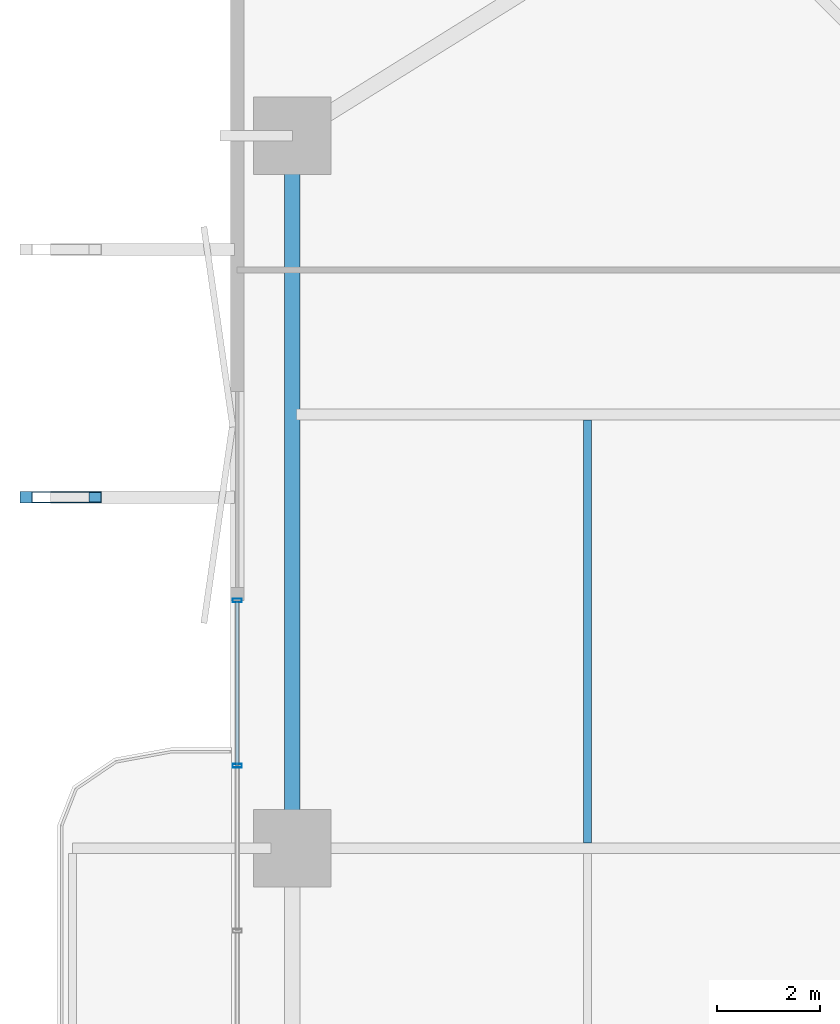
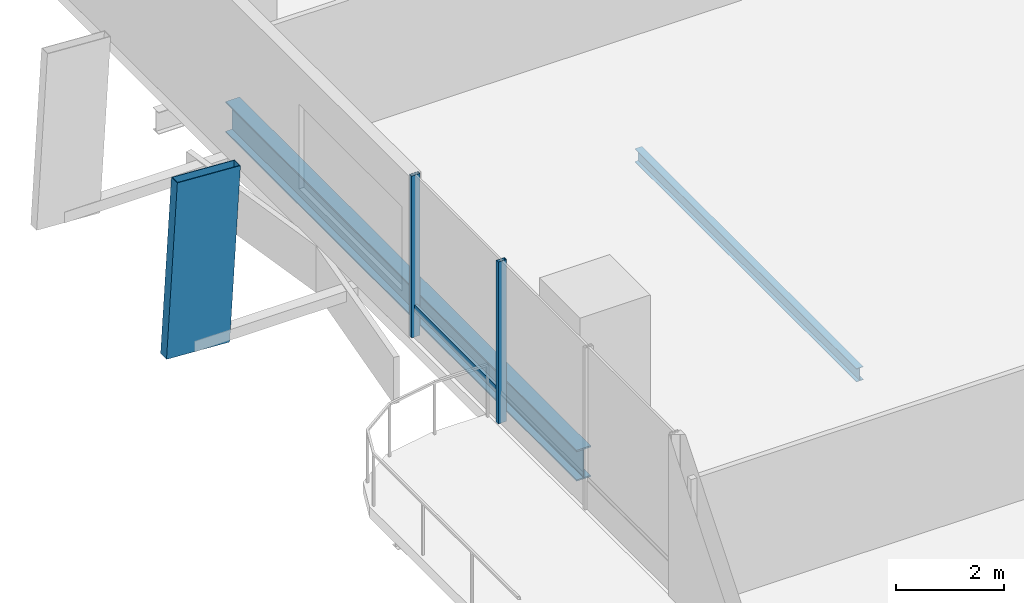
# One storey, part 9 of 24: 4 members, 2 beams, 1 element without a shape of its own.
"""IFC4 building model written with IfcOpenShell, lengths in metres."""

from ifc_helpers import new_model, si_unit, direction, frame, origin, origin_2d, place, context, subcontext, project, spatial, hollow_rectangle, i_section, extrude, material, layer, layer_set, material_profile, profile_set, type_object, element, aggregate, save


model = new_model("IFC4")

# Units and contexts
model_context = context("Model", 3, precision=1e-05, world=origin(), true_north=direction((0.0, 1.0)))
body_context = subcontext(model_context, "Body", "Model", "MODEL_VIEW")
ifc_project = project(units=[si_unit("LENGTHUNIT", "METRE"), si_unit("AREAUNIT", "SQUARE_METRE"), si_unit("VOLUMEUNIT", "CUBIC_METRE"), si_unit("PLANEANGLEUNIT", "RADIAN"), si_unit("MASSUNIT", "GRAM", prefix="KILO")], contexts=[model_context])

# Site, building, storey
site_placement = place(None, origin())
site = spatial("IfcSite", under=ifc_project, at=site_placement, CompositionType="ELEMENT")
building_placement = place(site_placement, origin())
building = spatial("IfcBuilding", under=site, at=building_placement, Name="Belovzor Exchange Tower", CompositionType="ELEMENT")
storey_placement = place(building_placement, frame((0.0, 0.0, 33.89990234375)))
storey = spatial("IfcBuildingStorey", under=building, at=storey_placement, Name="L07", CompositionType="ELEMENT", Elevation=33.89990234375)

# Member
ifc_material_1 = material(Name="Extruded Architectural Terracotta on Steel S355 Carrier", Category="masonry")
ifc_material_profile_1 = material_profile(ifc_material_1, hollow_rectangle(XDim=0.219970703125, YDim=1.35009765625, WallThickness=0.013916015625, at=origin_2d()))
ifc_profile_set_1 = profile_set([ifc_material_profile_1], Name="Extruded Architectural Terracotta on Steel S355 Carrier")
member_type_1 = type_object("IfcMemberType", Name="Base Arc Sweeping Terracotta Pylon Fin 1450", PredefinedType="USERDEFINED", material=ifc_profile_set_1)
member_1_placement = place(storey_placement, frame((-2.50390625, 35.60009765625, -0.25), z_axis=(0.059113970154, 0.0, 0.998251240186), x_axis=(0.0, 1.0, 0.0)))
element("IfcMember", 1, at=member_1_placement, inside=storey, type_object=member_type_1, Name="FIN-TC145 Terracotta Facade Fin L07 W3", ObjectType="FIN", PredefinedType="USERDEFINED", context=body_context, shape_type="SweptSolid", body=[
    extrude(hollow_rectangle(XDim=0.219970703125, YDim=1.35009765625, WallThickness=0.013916015625, at=origin_2d()), origin(), (0.0, 0.0, 1.0), 3.906982421875),
])

# Beam
ifc_material_2 = material(Name="Steel S355", Category="steel")
ifc_material_profile_2 = material_profile(ifc_material_2, i_section(OverallWidth=0.14990234375, OverallDepth=0.300048828125, WebThickness=0.007080078125, FlangeThickness=0.0107421875, at=origin_2d()))
ifc_profile_set_2 = profile_set([ifc_material_profile_2], Name="Steel S355")
beam_type_1 = type_object("IfcBeamType", Name="Secondary Trim Floor Joist IPE 300", PredefinedType="BEAM", material=ifc_profile_set_2)
beam_1_placement = place(storey_placement, frame((7.81494140625, 28.905029296875, -0.39990234375), z_axis=(0.0, 1.0, 0.0), x_axis=(-1.0, 0.0, 0.0)))
element("IfcBeam", 2, at=beam_1_placement, inside=storey, type_object=beam_type_1, Name="FJ-300 Secondary Trim Floor Joist IPE 300", PredefinedType="BEAM", context=body_context, shape_type="SweptSolid", body=[
    extrude(i_section(OverallWidth=0.14990234375, OverallDepth=0.300048828125, WebThickness=0.007080078125, FlangeThickness=0.0107421875, at=origin_2d()), origin(), (0.0, 0.0, 1.0), 8.18994140625),
])

# Curtain wall, members
ifc_material_3 = material(Name="Anodised Aluminium Framing", Category="aluminium")
ifc_layer = layer(ifc_material_3, 0.179931640625)
ifc_layer_set = layer_set([ifc_layer], Name="Anodised Aluminium Framing")
curtain_wall_type = type_object("IfcCurtainWallType", Name="Recessed Loggia Low-Iron Triple-Glazed Curtain Wall", PredefinedType="NOTDEFINED", material=ifc_layer_set)
curtain_wall_placement = place(storey_placement, origin())
curtain_wall = element("IfcCurtainWall", 3, at=curtain_wall_placement, inside=storey, type_object=curtain_wall_type, Name="CW3 Recessed Loggia Low-Iron Triple-Glazed Curtain Wall L07", PredefinedType="NOTDEFINED")
ifc_material_4 = material(Name="Steel S355", Category="steel")
ifc_material_profile_3 = material_profile(ifc_material_4, hollow_rectangle(XDim=0.074951171875, YDim=0.179931640625, WallThickness=0.0048828125, at=origin_2d()))
ifc_profile_set_3 = profile_set([ifc_material_profile_3], Name="Steel S355")
member_type_2 = type_object("IfcMemberType", Name="Thermally Broken Curtain Wall Mullion 180x75", PredefinedType="MULLION", material=ifc_profile_set_3)
member_2_placement = place(storey_placement, frame((1.030029296875, 30.39990234375, 0.0), z_axis=(0.0, 0.0, 1.0), x_axis=(0.0, 1.0, 0.0)))
member_2 = element("IfcMember", 4, at=member_2_placement, type_object=member_type_2, Name="CW-M180 Curtain Wall Mullion 3", PredefinedType="MULLION", context=body_context, shape_type="SweptSolid", body=[
    extrude(hollow_rectangle(XDim=0.074951171875, YDim=0.179931640625, WallThickness=0.0048828125, at=origin_2d()), origin(), (0.0, 0.0, 1.0), 3.650146484375),
])
member_3_placement = place(storey_placement, frame((1.030029296875, 33.60009765625, 0.0), z_axis=(0.0, 0.0, 1.0), x_axis=(0.0, 1.0, 0.0)))
member_3 = element("IfcMember", 5, at=member_3_placement, type_object=member_type_2, Name="CW-M180 Curtain Wall Mullion 4", PredefinedType="MULLION", context=body_context, shape_type="SweptSolid", body=[
    extrude(hollow_rectangle(XDim=0.074951171875, YDim=0.179931640625, WallThickness=0.0048828125, at=origin_2d()), origin(), (0.0, 0.0, 1.0), 3.650146484375),
])
ifc_material_5 = material(Name="Steel S355", Category="steel")
ifc_material_profile_4 = material_profile(ifc_material_5, hollow_rectangle(XDim=0.06005859375, YDim=0.14990234375, WallThickness=0.00390625, at=origin_2d()))
ifc_profile_set_4 = profile_set([ifc_material_profile_4], Name="Steel S355")
member_type_3 = type_object("IfcMemberType", Name="Thermally Broken Curtain Wall Transom 150x60", PredefinedType="USERDEFINED", material=ifc_profile_set_4)
member_4_placement = place(storey_placement, frame((1.030029296875, 30.407958984375, 0.650146484375), z_axis=(0.0, 1.0, 0.0), x_axis=(-1.0, 0.0, 0.0)))
member_4 = element("IfcMember", 6, at=member_4_placement, type_object=member_type_3, Name="CW-T150 Curtain Wall Transom 3", ObjectType="TRANSOM", PredefinedType="USERDEFINED", context=body_context, shape_type="SweptSolid", body=[
    extrude(hollow_rectangle(XDim=0.06005859375, YDim=0.14990234375, WallThickness=0.00390625, at=origin_2d()), origin(), (0.0, 0.0, 1.0), 3.18408203125),
])
aggregate(curtain_wall, [member_2, member_3, member_4])

# Beam
ifc_material_6 = material(Name="Steel S355", Category="steel")
ifc_material_profile_5 = material_profile(ifc_material_6, i_section(OverallWidth=0.300048828125, OverallDepth=0.699951171875, WebThickness=0.01708984375, FlangeThickness=0.031982421875, at=origin_2d()))
ifc_profile_set_5 = profile_set([ifc_material_profile_5], Name="Steel S355")
beam_type_2 = type_object("IfcBeamType", Name="Zone 1 Primary Perimeter Girder HEB 700", PredefinedType="BEAM", material=ifc_profile_set_5)
beam_2_placement = place(storey_placement, frame((2.10009765625, 42.18798828125, -0.599853515625), z_axis=(0.0, -1.0, 0.0), x_axis=(1.0, 0.0, 0.0)))
element("IfcBeam", 7, at=beam_2_placement, inside=storey, type_object=beam_type_2, Name="FG-Z1 Zone 1 Primary Perimeter Girder HEB 700", PredefinedType="BEAM", context=body_context, shape_type="SweptSolid", body=[
    extrude(i_section(OverallWidth=0.300048828125, OverallDepth=0.699951171875, WebThickness=0.01708984375, FlangeThickness=0.031982421875, at=origin_2d()), origin(), (0.0, 0.0, 1.0), 12.97509765625),
])

save(model, "model.ifc")
